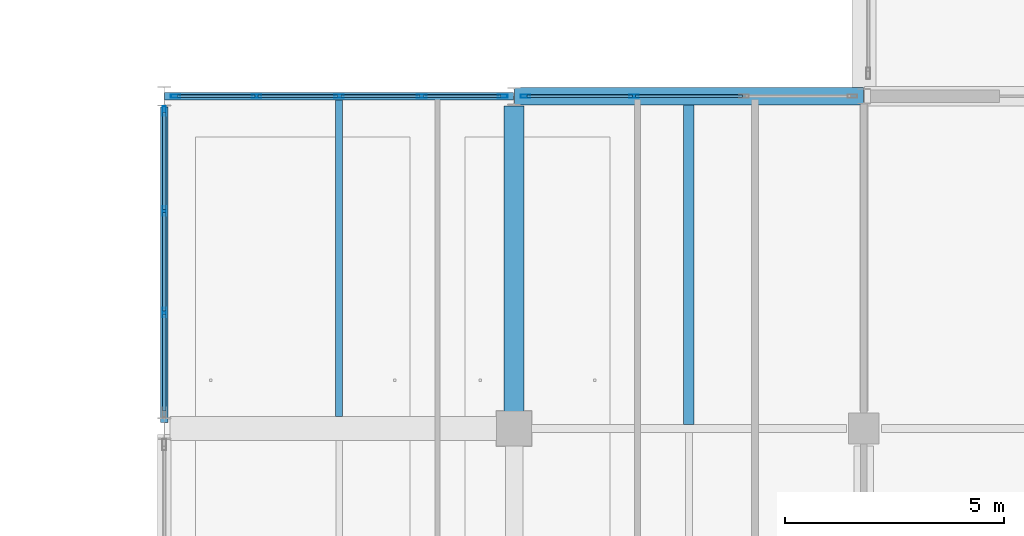
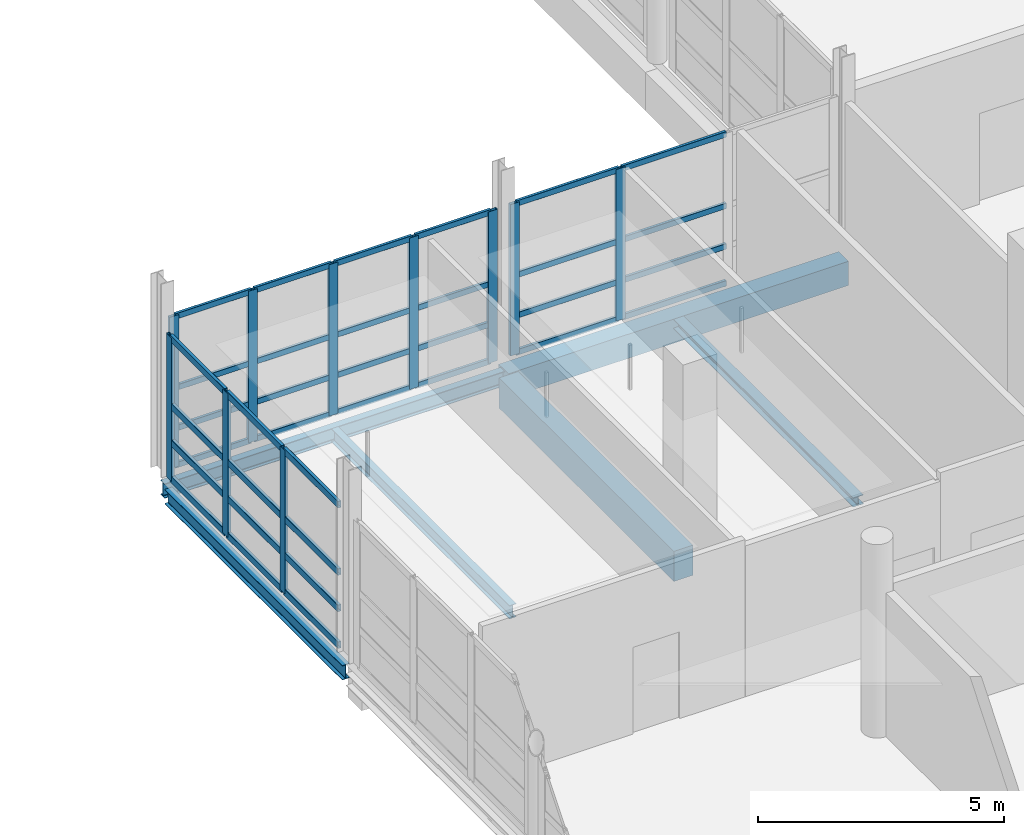
# One storey, part 55 of 141: 46 members, 6 beams, 3 elements without a shape of their own.
"""IFC4 building model written with IfcOpenShell, lengths in metres."""

import ifcopenshell
import ifcopenshell.guid

model = None  # the IFC model being written
_history = None  # IfcOwnerHistory: only IFC2X3 demands one
_inside = {}  # id of a spatial element -> (the spatial element, [elements in it])
_under = {}  # id of a project, library or spatial element -> (it, [spatial elements below it])
_declared = {}  # id of a project -> (the project, [libraries it declares])
_typed = {}  # id of a type object -> (the type object, [elements of that type])
_made_of = {}  # id of a material, layer set ... -> (it, [elements and type objects made of it])


def new_model(schema):
    """Start an empty IFC model of exactly this schema.

    Asked for "IFC4X3", IfcOpenShell would pick the latest addendum, in which some entities
    have other attributes; the version numbers below select the first issue.
    IFC2X3 requires an IfcOwnerHistory on every rooted entity: one is made here for all.
    """
    global model, _history
    if schema == "IFC4X3":
        model = ifcopenshell.file(schema_version=(4, 3, 0, 0))
    else:
        model = ifcopenshell.file(schema=schema)
    _inside.clear()
    _under.clear()
    _declared.clear()
    _typed.clear()
    _made_of.clear()
    _history = None
    if model.schema == "IFC2X3":
        org = make("IfcOrganization", Name="unknown")
        user = make(
            "IfcPersonAndOrganization",
            ThePerson=make("IfcPerson", FamilyName="unknown"),
            TheOrganization=org,
        )
        app = make(
            "IfcApplication",
            ApplicationDeveloper=org,
            Version="unknown",
            ApplicationFullName="unknown",
            ApplicationIdentifier="unknown",
        )
        _history = make(
            "IfcOwnerHistory",
            OwningUser=user,
            OwningApplication=app,
            ChangeAction="ADDED",
            CreationDate=0,
        )
    return model


def make(cls, **values):
    """One entity of the class cls with the attributes given. An attribute that is None is left unset."""
    return model.create_entity(
        cls, **{name: value for name, value in values.items() if value is not None}
    )


def rooted(cls, **values):
    """An entity with a GlobalId (a new one), such as an element, a storey or a relation."""
    return make(cls, GlobalId=ifcopenshell.guid.new(), OwnerHistory=_history, **values)


def si_unit(unit_type, name, prefix=None):
    """IfcSIUnit, for example si_unit("LENGTHUNIT", "METRE", prefix="MILLI")."""
    return make("IfcSIUnit", UnitType=unit_type, Prefix=prefix, Name=name)


def assignment(units):
    """IfcUnitAssignment: the units of a project."""
    return None if units is None else make("IfcUnitAssignment", Units=units)


def point(xyz):
    """IfcCartesianPoint."""
    return None if xyz is None else make("IfcCartesianPoint", Coordinates=xyz)


def direction(xyz):
    """IfcDirection."""
    return None if xyz is None else make("IfcDirection", DirectionRatios=xyz)


def frame(location, z_axis=None, x_axis=None):
    """IfcAxis2Placement3D, a coordinate frame: its origin and axes. An axis left out is left unset."""
    return make(
        "IfcAxis2Placement3D",
        Location=point(location),
        Axis=direction(z_axis),
        RefDirection=direction(x_axis),
    )


def frame_2d(location, x_axis=None):
    """IfcAxis2Placement2D, a coordinate frame in the plane: its origin and x axis."""
    return make(
        "IfcAxis2Placement2D", Location=point(location), RefDirection=direction(x_axis)
    )


def origin():
    """The frame at (0, 0, 0) with its axes left unset."""
    return frame((0.0, 0.0, 0.0))


def origin_2d():
    """The frame at (0, 0) in the plane with its x axis left unset."""
    return frame_2d((0.0, 0.0))


def place(relative_to, where):
    """IfcLocalPlacement: puts the frame where relative to a parent placement (None: the world)."""
    return make(
        "IfcLocalPlacement", PlacementRelTo=relative_to, RelativePlacement=where
    )


def context(
    kind, dimensions, precision=None, world=None, true_north=None, identifier=None
):
    """IfcGeometricRepresentationContext, for example the 3D "Model" context."""
    return make(
        "IfcGeometricRepresentationContext",
        ContextIdentifier=identifier,
        ContextType=kind,
        CoordinateSpaceDimension=dimensions,
        Precision=precision,
        WorldCoordinateSystem=world,
        TrueNorth=true_north,
    )


def subcontext(parent, identifier, kind, view, scale=None):
    """IfcGeometricRepresentationSubContext, for example "Body" below "Model"."""
    return make(
        "IfcGeometricRepresentationSubContext",
        ContextIdentifier=identifier,
        ContextType=kind,
        ParentContext=parent,
        TargetScale=scale,
        TargetView=view,
    )


def project(units=None, contexts=None):
    """IfcProject with its units and contexts."""
    return rooted(
        "IfcProject",
        Name="project",
        RepresentationContexts=contexts,
        UnitsInContext=assignment(units),
    )


def spatial(cls, under=None, at=None, **own):
    """A site, building, storey or space (cls), placed at a placement, below another one or the project."""
    s = rooted(cls, ObjectPlacement=at, **own)
    if under is not None:
        _under.setdefault(under.id(), (under, []))[1].append(s)
    return s


def profile(cls, at=None, kind="AREA", **sizes):
    """A parametric profile (cls). Its sizes go by their IFC names, for example OverallWidth=200.0."""
    return make(cls, ProfileType=kind, Position=at, **sizes)


def rectangle(**sizes):
    """IfcRectangleProfileDef."""
    return profile("IfcRectangleProfileDef", **sizes)


def hollow_rectangle(**sizes):
    """IfcRectangleHollowProfileDef."""
    return profile("IfcRectangleHollowProfileDef", **sizes)


def i_section(**sizes):
    """IfcIShapeProfileDef."""
    return profile("IfcIShapeProfileDef", **sizes)


def extrude(swept, where, along, depth):
    """IfcExtrudedAreaSolid: the profile swept, set in the frame where, extruded along a direction by depth."""
    return make(
        "IfcExtrudedAreaSolid",
        SweptArea=swept,
        Position=where,
        ExtrudedDirection=direction(along),
        Depth=depth,
    )


def shape(context_of_items, identifier, shape_type, items):
    """IfcShapeRepresentation: the items that make up one representation, for example the "Body"."""
    return make(
        "IfcShapeRepresentation",
        ContextOfItems=context_of_items,
        RepresentationIdentifier=identifier,
        RepresentationType=shape_type,
        Items=items,
    )


def material(Name=None, Category=None):
    """IfcMaterial."""
    return make("IfcMaterial", Name=Name, Category=Category)


def material_profile(
    of_material, cross_section, Name=None, Category=None, Priority=None
):
    """IfcMaterialProfile: a cross section and its material."""
    return make(
        "IfcMaterialProfile",
        Name=Name,
        Material=of_material,
        Profile=cross_section,
        Priority=Priority,
        Category=Category,
    )


def profile_set(profiles, Name=None, composite=None):
    """IfcMaterialProfileSet."""
    return make(
        "IfcMaterialProfileSet",
        Name=Name,
        MaterialProfiles=profiles,
        CompositeProfile=composite,
    )


def made_of(thing, what):
    """Note that an element or type object is made of a material, layer set ...; save() writes the relation."""
    if what is not None:
        _made_of.setdefault(what.id(), (what, []))[1].append(thing)
    return thing


def type_object(cls, material=None, **own):
    """A type object (cls), such as IfcWallType, which elements share."""
    return made_of(rooted(cls, **own), material)


def element(
    cls,
    number,
    at=None,
    inside=None,
    cuts=None,
    type_object=None,
    material=None,
    context=None,
    identifier="Body",
    shape_type=None,
    held_by="IfcProductDefinitionShape",
    body=None,
    shapes=None,
    **own,
):
    """One element of the class cls, such as IfcWall. Its Tag is "e" and its number.

    at: its placement. inside: the storey or other place that contains it. cuts: it is an
    opening in that element (IfcRelVoidsElement). A single representation is given by context,
    identifier, shape_type and body (its items); several are given by shapes. held_by: the class
    of the entity that holds the representations. save() writes the other relations.
    """
    e = rooted(cls, Tag="e%d" % number, ObjectPlacement=at, **own)
    if body is not None:
        shapes = [shape(context, identifier, shape_type, body)]
    if shapes is not None:
        e.Representation = make(held_by, Representations=shapes)
    if inside is not None:
        _inside.setdefault(inside.id(), (inside, []))[1].append(e)
    if cuts is not None:
        rooted(
            "IfcRelVoidsElement", RelatingBuildingElement=cuts, RelatedOpeningElement=e
        )
    if type_object is not None:
        _typed.setdefault(type_object.id(), (type_object, []))[1].append(e)
    return made_of(e, material)


def aggregate(whole, parts):
    """IfcRelAggregates: a whole, such as a stair, and the parts it consists of."""
    return rooted("IfcRelAggregates", RelatingObject=whole, RelatedObjects=parts)


def save(model, path):
    """Write the relations noted so far, then the file.

    IfcRelAggregates (storeys below a building ...), IfcRelContainedInSpatialStructure (elements
    in a storey), IfcRelDefinesByType, IfcRelAssociatesMaterial and IfcRelDeclares: one each for
    every whole, place, type object, material and project.
    """
    for whole, parts in _under.values():
        aggregate(whole, parts)
    for where, things in _inside.values():
        rooted(
            "IfcRelContainedInSpatialStructure",
            RelatedElements=things,
            RelatingStructure=where,
        )
    for kind, things in _typed.values():
        rooted("IfcRelDefinesByType", RelatedObjects=things, RelatingType=kind)
    for what, things in _made_of.values():
        rooted("IfcRelAssociatesMaterial", RelatedObjects=things, RelatingMaterial=what)
    for by, libraries in _declared.values():
        rooted("IfcRelDeclares", RelatingContext=by, RelatedDefinitions=libraries)
    model.write(path)


model = new_model("IFC4")

# Units and contexts
model_context = context("Model", 3, precision=1e-05, world=origin(), true_north=direction((0.0, 1.0)))
body_context = subcontext(model_context, "Body", "Model", "MODEL_VIEW")
ifc_project = project(units=[si_unit("LENGTHUNIT", "METRE"), si_unit("AREAUNIT", "SQUARE_METRE"), si_unit("VOLUMEUNIT", "CUBIC_METRE"), si_unit("PLANEANGLEUNIT", "RADIAN"), si_unit("MASSUNIT", "GRAM", prefix="KILO")], contexts=[model_context])

# Site, building, storey
site_placement = place(None, origin())
site = spatial("IfcSite", under=ifc_project, at=site_placement, CompositionType="ELEMENT")
building_placement = place(site_placement, origin())
building = spatial("IfcBuilding", under=site, at=building_placement, Name="Khelvaren Railside Concert Hall", CompositionType="ELEMENT")
storey_placement = place(building_placement, frame((0.0, 0.0, 10.199951171875)))
storey = spatial("IfcBuildingStorey", under=building, at=storey_placement, Name="L02", CompositionType="ELEMENT", Elevation=10.199951171875)

# Beam
ifc_material_1 = material(Name="Concrete C40/50", Category="concrete")
ifc_material_profile_1 = material_profile(ifc_material_1, rectangle(XDim=0.449951171875, YDim=0.75, at=origin_2d()), Name="RCB 450x750")
ifc_profile_set_1 = profile_set([ifc_material_profile_1], Name="Concrete C40/50")
beam_type_1 = type_object("IfcBeamType", Name="BM83", PredefinedType="BEAM", material=ifc_profile_set_1)
beam_1_placement = place(storey_placement, frame((152.0, 30.673095703125, -0.6650390625), z_axis=(0.0, 1.0, 0.0), x_axis=(-1.0, 0.0, 0.0)))
element("IfcBeam", 1, at=beam_1_placement, inside=storey, type_object=beam_type_1, Name="V2 L02 Beam Y2.5", PredefinedType="BEAM", context=body_context, shape_type="SweptSolid", body=[
    extrude(rectangle(XDim=0.449951171875, YDim=0.75, at=origin_2d()), origin(), (0.0, 0.0, 1.0), 7.101806640625),
])

# Curtain wall, members
ifc_material_2 = material(Name="Triple-glazed solar-control glass", Category="glass")
curtain_wall_type_1 = type_object("IfcCurtainWallType", Name="CW88", PredefinedType="USERDEFINED", material=ifc_material_2)
curtain_wall_1_placement = place(storey_placement, origin())
curtain_wall_1 = element("IfcCurtainWall", 2, at=curtain_wall_1_placement, inside=storey, type_object=curtain_wall_type_1, Name="Unitised Curtain Wall CW-V2-L02-W-30", ObjectType="UNITISED CURTAIN WALL", PredefinedType="USERDEFINED")
ifc_material_3 = material(Name="Anodised architectural aluminium 6063-T6", Category="aluminium")
ifc_material_profile_2 = material_profile(ifc_material_3, hollow_rectangle(XDim=0.074951171875, YDim=0.219970703125, WallThickness=0.0048828125, InnerFilletRadius=0.0029296875, OuterFilletRadius=0.0048828125, at=origin_2d()), Name="CWM 75x220x5")
ifc_profile_set_2 = profile_set([ifc_material_profile_2], Name="Anodised architectural aluminium 6063-T6")
member_type_1 = type_object("IfcMemberType", Name="CWM13", PredefinedType="MULLION", material=ifc_profile_set_2)
member_1_placement = place(storey_placement, frame((144.0, 33.049072265625, 0.0), z_axis=(0.0, 0.0, 1.0), x_axis=(-1.0, 0.0, 0.0)))
member_1 = element("IfcMember", 3, at=member_1_placement, type_object=member_type_1, Name="CW88 mullion 2", PredefinedType="MULLION", context=body_context, shape_type="SweptSolid", body=[
    extrude(hollow_rectangle(XDim=0.074951171875, YDim=0.219970703125, WallThickness=0.0048828125, InnerFilletRadius=0.0029296875, OuterFilletRadius=0.0048828125, at=origin_2d()), origin(), (0.0, 0.0, 1.0), 3.56005859375),
])
member_2_placement = place(storey_placement, frame((144.0, 35.375732421875, 0.0), z_axis=(0.0, 0.0, 1.0), x_axis=(-1.0, 0.0, 0.0)))
member_2 = element("IfcMember", 4, at=member_2_placement, type_object=member_type_1, Name="CW88 mullion 3", PredefinedType="MULLION", context=body_context, shape_type="SweptSolid", body=[
    extrude(hollow_rectangle(XDim=0.074951171875, YDim=0.219970703125, WallThickness=0.0048828125, InnerFilletRadius=0.0029296875, OuterFilletRadius=0.0048828125, at=origin_2d()), origin(), (0.0, 0.0, 1.0), 3.56005859375),
])
member_3_placement = place(storey_placement, frame((144.0, 37.6650390625, 0.0), z_axis=(0.0, 0.0, 1.0), x_axis=(-1.0, 0.0, 0.0)))
member_3 = element("IfcMember", 5, at=member_3_placement, type_object=member_type_1, Name="CW88 mullion 4", PredefinedType="MULLION", context=body_context, shape_type="SweptSolid", body=[
    extrude(hollow_rectangle(XDim=0.074951171875, YDim=0.219970703125, WallThickness=0.0048828125, InnerFilletRadius=0.0029296875, OuterFilletRadius=0.0048828125, at=origin_2d()), origin(), (0.0, 0.0, 1.0), 3.56005859375),
])

ifc_material_4 = material(Name="Double-glazed clear foyer glass", Category="glass")
curtain_wall_type_2 = type_object("IfcCurtainWallType", Name="CW64", PredefinedType="USERDEFINED", material=ifc_material_4)
curtain_wall_2_placement = place(storey_placement, origin())
curtain_wall_2 = element("IfcCurtainWall", 6, at=curtain_wall_2_placement, inside=storey, type_object=curtain_wall_type_2, Name="Unitised Curtain Wall CW-V2-L02-N-144", ObjectType="UNITISED CURTAIN WALL", PredefinedType="USERDEFINED")
member_4_placement = place(storey_placement, frame((144.260009765625, 38.0, 0.0), z_axis=(0.0, 0.0, 1.0), x_axis=(0.0, 1.0, 0.0)))
member_4 = element("IfcMember", 7, at=member_4_placement, type_object=member_type_1, Name="CW64 mullion 1", PredefinedType="MULLION", context=body_context, shape_type="SweptSolid", body=[
    extrude(hollow_rectangle(XDim=0.074951171875, YDim=0.219970703125, WallThickness=0.0048828125, InnerFilletRadius=0.0029296875, OuterFilletRadius=0.0048828125, at=origin_2d()), origin(), (0.0, 0.0, 1.0), 3.760009765625),
])
member_5_placement = place(storey_placement, frame((146.111328125, 38.0, 0.0), z_axis=(0.0, 0.0, 1.0), x_axis=(0.0, 1.0, 0.0)))
member_5 = element("IfcMember", 8, at=member_5_placement, type_object=member_type_1, Name="CW64 mullion 2", PredefinedType="MULLION", context=body_context, shape_type="SweptSolid", body=[
    extrude(hollow_rectangle(XDim=0.074951171875, YDim=0.219970703125, WallThickness=0.0048828125, InnerFilletRadius=0.0029296875, OuterFilletRadius=0.0048828125, at=origin_2d()), origin(), (0.0, 0.0, 1.0), 3.760009765625),
])
member_6_placement = place(storey_placement, frame((148.0, 38.0, 0.0), z_axis=(0.0, 0.0, 1.0), x_axis=(0.0, 1.0, 0.0)))
member_6 = element("IfcMember", 9, at=member_6_placement, type_object=member_type_1, Name="CW64 mullion 3", PredefinedType="MULLION", context=body_context, shape_type="SweptSolid", body=[
    extrude(hollow_rectangle(XDim=0.074951171875, YDim=0.219970703125, WallThickness=0.0048828125, InnerFilletRadius=0.0029296875, OuterFilletRadius=0.0048828125, at=origin_2d()), origin(), (0.0, 0.0, 1.0), 3.760009765625),
])
member_7_placement = place(storey_placement, frame((149.888671875, 38.0, 0.0), z_axis=(0.0, 0.0, 1.0), x_axis=(0.0, 1.0, 0.0)))
member_7 = element("IfcMember", 10, at=member_7_placement, type_object=member_type_1, Name="CW64 mullion 4", PredefinedType="MULLION", context=body_context, shape_type="SweptSolid", body=[
    extrude(hollow_rectangle(XDim=0.074951171875, YDim=0.219970703125, WallThickness=0.0048828125, InnerFilletRadius=0.0029296875, OuterFilletRadius=0.0048828125, at=origin_2d()), origin(), (0.0, 0.0, 1.0), 3.760009765625),
])
member_8_placement = place(storey_placement, frame((151.739990234375, 38.0, 0.0), z_axis=(0.0, 0.0, 1.0), x_axis=(0.0, 1.0, 0.0)))
member_8 = element("IfcMember", 11, at=member_8_placement, type_object=member_type_1, Name="CW64 mullion 5", PredefinedType="MULLION", context=body_context, shape_type="SweptSolid", body=[
    extrude(hollow_rectangle(XDim=0.074951171875, YDim=0.219970703125, WallThickness=0.0048828125, InnerFilletRadius=0.0029296875, OuterFilletRadius=0.0048828125, at=origin_2d()), origin(), (0.0, 0.0, 1.0), 3.760009765625),
])

curtain_wall_type_3 = type_object("IfcCurtainWallType", Name="CW68", PredefinedType="USERDEFINED", material=ifc_material_4)
curtain_wall_3_placement = place(storey_placement, origin())
curtain_wall_3 = element("IfcCurtainWall", 12, at=curtain_wall_3_placement, inside=storey, type_object=curtain_wall_type_3, Name="Unitised Curtain Wall CW-V2-L02-N-152", ObjectType="UNITISED CURTAIN WALL", PredefinedType="USERDEFINED")
member_9_placement = place(storey_placement, frame((152.260009765625, 38.0, 0.0), z_axis=(0.0, 0.0, 1.0), x_axis=(0.0, 1.0, 0.0)))
member_9 = element("IfcMember", 13, at=member_9_placement, type_object=member_type_1, Name="CW68 mullion 1", PredefinedType="MULLION", context=body_context, shape_type="SweptSolid", body=[
    extrude(hollow_rectangle(XDim=0.074951171875, YDim=0.219970703125, WallThickness=0.0048828125, InnerFilletRadius=0.0029296875, OuterFilletRadius=0.0048828125, at=origin_2d()), origin(), (0.0, 0.0, 1.0), 3.760009765625),
])
member_10_placement = place(storey_placement, frame((154.74072265625, 38.0, 0.0), z_axis=(0.0, 0.0, 1.0), x_axis=(0.0, 1.0, 0.0)))
member_10 = element("IfcMember", 14, at=member_10_placement, type_object=member_type_1, Name="CW68 mullion 2", PredefinedType="MULLION", context=body_context, shape_type="SweptSolid", body=[
    extrude(hollow_rectangle(XDim=0.074951171875, YDim=0.219970703125, WallThickness=0.0048828125, InnerFilletRadius=0.0029296875, OuterFilletRadius=0.0048828125, at=origin_2d()), origin(), (0.0, 0.0, 1.0), 3.760009765625),
])

# Member
ifc_material_profile_3 = material_profile(ifc_material_3, hollow_rectangle(XDim=0.074951171875, YDim=0.1650390625, WallThickness=0.00390625, InnerFilletRadius=0.001953125, OuterFilletRadius=0.00390625, at=origin_2d()), Name="CWT 75x165x4")
ifc_profile_set_3 = profile_set([ifc_material_profile_3], Name="Anodised architectural aluminium 6063-T6")
member_type_2 = type_object("IfcMemberType", Name="CWT46", PredefinedType="USERDEFINED", material=ifc_profile_set_3)
member_11_placement = place(storey_placement, frame((144.0, 30.797607421875, 0.03759765625), z_axis=(0.0, 1.0, 0.0), x_axis=(-1.0, 0.0, 0.0)))
member_11 = element("IfcMember", 15, at=member_11_placement, type_object=member_type_2, Name="CW88 transom 1.1", ObjectType="TRANSOM", PredefinedType="USERDEFINED", context=body_context, shape_type="SweptSolid", body=[
    extrude(hollow_rectangle(XDim=0.074951171875, YDim=0.1650390625, WallThickness=0.00390625, InnerFilletRadius=0.001953125, OuterFilletRadius=0.00390625, at=origin_2d()), origin(), (0.0, 0.0, 1.0), 2.214111328125),
])

member_12_placement = place(storey_placement, frame((144.0, 30.797607421875, 0.949951171875), z_axis=(0.0, 1.0, 0.0), x_axis=(-1.0, 0.0, 0.0)))
member_12 = element("IfcMember", 16, at=member_12_placement, type_object=member_type_2, Name="CW88 transom 1.2", ObjectType="TRANSOM", PredefinedType="USERDEFINED", context=body_context, shape_type="SweptSolid", body=[
    extrude(hollow_rectangle(XDim=0.074951171875, YDim=0.1650390625, WallThickness=0.00390625, InnerFilletRadius=0.001953125, OuterFilletRadius=0.00390625, at=origin_2d()), origin(), (0.0, 0.0, 1.0), 2.214111328125),
])

member_13_placement = place(storey_placement, frame((144.0, 30.797607421875, 1.851318359375), z_axis=(0.0, 1.0, 0.0), x_axis=(-1.0, 0.0, 0.0)))
member_13 = element("IfcMember", 17, at=member_13_placement, type_object=member_type_2, Name="CW88 transom 1.3", ObjectType="TRANSOM", PredefinedType="USERDEFINED", context=body_context, shape_type="SweptSolid", body=[
    extrude(hollow_rectangle(XDim=0.074951171875, YDim=0.1650390625, WallThickness=0.00390625, InnerFilletRadius=0.001953125, OuterFilletRadius=0.00390625, at=origin_2d()), origin(), (0.0, 0.0, 1.0), 2.214111328125),
])

member_14_placement = place(storey_placement, frame((144.0, 30.797607421875, 3.5224609375), z_axis=(0.0, 1.0, 0.0), x_axis=(-1.0, 0.0, 0.0)))
member_14 = element("IfcMember", 18, at=member_14_placement, type_object=member_type_2, Name="CW88 transom 1.4", ObjectType="TRANSOM", PredefinedType="USERDEFINED", context=body_context, shape_type="SweptSolid", body=[
    extrude(hollow_rectangle(XDim=0.074951171875, YDim=0.1650390625, WallThickness=0.00390625, InnerFilletRadius=0.001953125, OuterFilletRadius=0.00390625, at=origin_2d()), origin(), (0.0, 0.0, 1.0), 2.214111328125),
])

member_15_placement = place(storey_placement, frame((144.0, 33.086669921875, 0.03759765625), z_axis=(0.0, 1.0, 0.0), x_axis=(-1.0, 0.0, 0.0)))
member_15 = element("IfcMember", 19, at=member_15_placement, type_object=member_type_2, Name="CW88 transom 2.1", ObjectType="TRANSOM", PredefinedType="USERDEFINED", context=body_context, shape_type="SweptSolid", body=[
    extrude(hollow_rectangle(XDim=0.074951171875, YDim=0.1650390625, WallThickness=0.00390625, InnerFilletRadius=0.001953125, OuterFilletRadius=0.00390625, at=origin_2d()), origin(), (0.0, 0.0, 1.0), 2.251708984375),
])

member_16_placement = place(storey_placement, frame((144.0, 33.086669921875, 0.949951171875), z_axis=(0.0, 1.0, 0.0), x_axis=(-1.0, 0.0, 0.0)))
member_16 = element("IfcMember", 20, at=member_16_placement, type_object=member_type_2, Name="CW88 transom 2.2", ObjectType="TRANSOM", PredefinedType="USERDEFINED", context=body_context, shape_type="SweptSolid", body=[
    extrude(hollow_rectangle(XDim=0.074951171875, YDim=0.1650390625, WallThickness=0.00390625, InnerFilletRadius=0.001953125, OuterFilletRadius=0.00390625, at=origin_2d()), origin(), (0.0, 0.0, 1.0), 2.251708984375),
])

member_17_placement = place(storey_placement, frame((144.0, 33.086669921875, 1.851318359375), z_axis=(0.0, 1.0, 0.0), x_axis=(-1.0, 0.0, 0.0)))
member_17 = element("IfcMember", 21, at=member_17_placement, type_object=member_type_2, Name="CW88 transom 2.3", ObjectType="TRANSOM", PredefinedType="USERDEFINED", context=body_context, shape_type="SweptSolid", body=[
    extrude(hollow_rectangle(XDim=0.074951171875, YDim=0.1650390625, WallThickness=0.00390625, InnerFilletRadius=0.001953125, OuterFilletRadius=0.00390625, at=origin_2d()), origin(), (0.0, 0.0, 1.0), 2.251708984375),
])

member_18_placement = place(storey_placement, frame((144.0, 33.086669921875, 3.5224609375), z_axis=(0.0, 1.0, 0.0), x_axis=(-1.0, 0.0, 0.0)))
member_18 = element("IfcMember", 22, at=member_18_placement, type_object=member_type_2, Name="CW88 transom 2.4", ObjectType="TRANSOM", PredefinedType="USERDEFINED", context=body_context, shape_type="SweptSolid", body=[
    extrude(hollow_rectangle(XDim=0.074951171875, YDim=0.1650390625, WallThickness=0.00390625, InnerFilletRadius=0.001953125, OuterFilletRadius=0.00390625, at=origin_2d()), origin(), (0.0, 0.0, 1.0), 2.251708984375),
])

member_19_placement = place(storey_placement, frame((144.0, 35.413330078125, 0.03759765625), z_axis=(0.0, 1.0, 0.0), x_axis=(-1.0, 0.0, 0.0)))
member_19 = element("IfcMember", 23, at=member_19_placement, type_object=member_type_2, Name="CW88 transom 3.1", ObjectType="TRANSOM", PredefinedType="USERDEFINED", context=body_context, shape_type="SweptSolid", body=[
    extrude(hollow_rectangle(XDim=0.074951171875, YDim=0.1650390625, WallThickness=0.00390625, InnerFilletRadius=0.001953125, OuterFilletRadius=0.00390625, at=origin_2d()), origin(), (0.0, 0.0, 1.0), 2.214111328125),
])

member_20_placement = place(storey_placement, frame((144.0, 35.413330078125, 0.949951171875), z_axis=(0.0, 1.0, 0.0), x_axis=(-1.0, 0.0, 0.0)))
member_20 = element("IfcMember", 24, at=member_20_placement, type_object=member_type_2, Name="CW88 transom 3.2", ObjectType="TRANSOM", PredefinedType="USERDEFINED", context=body_context, shape_type="SweptSolid", body=[
    extrude(hollow_rectangle(XDim=0.074951171875, YDim=0.1650390625, WallThickness=0.00390625, InnerFilletRadius=0.001953125, OuterFilletRadius=0.00390625, at=origin_2d()), origin(), (0.0, 0.0, 1.0), 2.214111328125),
])

member_21_placement = place(storey_placement, frame((144.0, 35.413330078125, 1.851318359375), z_axis=(0.0, 1.0, 0.0), x_axis=(-1.0, 0.0, 0.0)))
member_21 = element("IfcMember", 25, at=member_21_placement, type_object=member_type_2, Name="CW88 transom 3.3", ObjectType="TRANSOM", PredefinedType="USERDEFINED", context=body_context, shape_type="SweptSolid", body=[
    extrude(hollow_rectangle(XDim=0.074951171875, YDim=0.1650390625, WallThickness=0.00390625, InnerFilletRadius=0.001953125, OuterFilletRadius=0.00390625, at=origin_2d()), origin(), (0.0, 0.0, 1.0), 2.214111328125),
])

member_22_placement = place(storey_placement, frame((144.0, 35.413330078125, 3.5224609375), z_axis=(0.0, 1.0, 0.0), x_axis=(-1.0, 0.0, 0.0)))
member_22 = element("IfcMember", 26, at=member_22_placement, type_object=member_type_2, Name="CW88 transom 3.4", ObjectType="TRANSOM", PredefinedType="USERDEFINED", context=body_context, shape_type="SweptSolid", body=[
    extrude(hollow_rectangle(XDim=0.074951171875, YDim=0.1650390625, WallThickness=0.00390625, InnerFilletRadius=0.001953125, OuterFilletRadius=0.00390625, at=origin_2d()), origin(), (0.0, 0.0, 1.0), 2.214111328125),
])

aggregate(curtain_wall_1, [member_1, member_2, member_3, member_11, member_12, member_13, member_14, member_15, member_16, member_17, member_18, member_19, member_20, member_21, member_22])

ifc_material_profile_4 = material_profile(ifc_material_3, hollow_rectangle(XDim=0.06494140625, YDim=0.139892578125, WallThickness=0.00390625, InnerFilletRadius=0.001953125, OuterFilletRadius=0.00390625, at=origin_2d()), Name="CWT 65x140x4")
ifc_profile_set_4 = profile_set([ifc_material_profile_4], Name="Anodised architectural aluminium 6063-T6")
member_type_3 = type_object("IfcMemberType", Name="CWT72", PredefinedType="USERDEFINED", material=ifc_profile_set_4)
member_23_placement = place(storey_placement, frame((144.297607421875, 38.0, 0.032470703125), z_axis=(1.0, 0.0, 0.0), x_axis=(0.0, 1.0, 0.0)))
member_23 = element("IfcMember", 27, at=member_23_placement, type_object=member_type_3, Name="CW64 transom 1.1", ObjectType="TRANSOM", PredefinedType="USERDEFINED", context=body_context, shape_type="SweptSolid", body=[
    extrude(hollow_rectangle(XDim=0.06494140625, YDim=0.139892578125, WallThickness=0.00390625, InnerFilletRadius=0.001953125, OuterFilletRadius=0.00390625, at=origin_2d()), origin(), (0.0, 0.0, 1.0), 1.776123046875),
])

member_24_placement = place(storey_placement, frame((144.297607421875, 38.0, 0.949951171875), z_axis=(1.0, 0.0, 0.0), x_axis=(0.0, 1.0, 0.0)))
member_24 = element("IfcMember", 28, at=member_24_placement, type_object=member_type_3, Name="CW64 transom 1.2", ObjectType="TRANSOM", PredefinedType="USERDEFINED", context=body_context, shape_type="SweptSolid", body=[
    extrude(hollow_rectangle(XDim=0.06494140625, YDim=0.139892578125, WallThickness=0.00390625, InnerFilletRadius=0.001953125, OuterFilletRadius=0.00390625, at=origin_2d()), origin(), (0.0, 0.0, 1.0), 1.776123046875),
])

member_25_placement = place(storey_placement, frame((144.297607421875, 38.0, 1.955322265625), z_axis=(1.0, 0.0, 0.0), x_axis=(0.0, 1.0, 0.0)))
member_25 = element("IfcMember", 29, at=member_25_placement, type_object=member_type_3, Name="CW64 transom 1.3", ObjectType="TRANSOM", PredefinedType="USERDEFINED", context=body_context, shape_type="SweptSolid", body=[
    extrude(hollow_rectangle(XDim=0.06494140625, YDim=0.139892578125, WallThickness=0.00390625, InnerFilletRadius=0.001953125, OuterFilletRadius=0.00390625, at=origin_2d()), origin(), (0.0, 0.0, 1.0), 1.776123046875),
])

member_26_placement = place(storey_placement, frame((144.297607421875, 38.0, 3.7275390625), z_axis=(1.0, 0.0, 0.0), x_axis=(0.0, 1.0, 0.0)))
member_26 = element("IfcMember", 30, at=member_26_placement, type_object=member_type_3, Name="CW64 transom 1.4", ObjectType="TRANSOM", PredefinedType="USERDEFINED", context=body_context, shape_type="SweptSolid", body=[
    extrude(hollow_rectangle(XDim=0.06494140625, YDim=0.139892578125, WallThickness=0.00390625, InnerFilletRadius=0.001953125, OuterFilletRadius=0.00390625, at=origin_2d()), origin(), (0.0, 0.0, 1.0), 1.776123046875),
])

member_27_placement = place(storey_placement, frame((146.148681640625, 38.0, 0.032470703125), z_axis=(1.0, 0.0, 0.0), x_axis=(0.0, 1.0, 0.0)))
member_27 = element("IfcMember", 31, at=member_27_placement, type_object=member_type_3, Name="CW64 transom 2.1", ObjectType="TRANSOM", PredefinedType="USERDEFINED", context=body_context, shape_type="SweptSolid", body=[
    extrude(hollow_rectangle(XDim=0.06494140625, YDim=0.139892578125, WallThickness=0.00390625, InnerFilletRadius=0.001953125, OuterFilletRadius=0.00390625, at=origin_2d()), origin(), (0.0, 0.0, 1.0), 1.813720703125),
])

member_28_placement = place(storey_placement, frame((146.148681640625, 38.0, 0.949951171875), z_axis=(1.0, 0.0, 0.0), x_axis=(0.0, 1.0, 0.0)))
member_28 = element("IfcMember", 32, at=member_28_placement, type_object=member_type_3, Name="CW64 transom 2.2", ObjectType="TRANSOM", PredefinedType="USERDEFINED", context=body_context, shape_type="SweptSolid", body=[
    extrude(hollow_rectangle(XDim=0.06494140625, YDim=0.139892578125, WallThickness=0.00390625, InnerFilletRadius=0.001953125, OuterFilletRadius=0.00390625, at=origin_2d()), origin(), (0.0, 0.0, 1.0), 1.813720703125),
])

member_29_placement = place(storey_placement, frame((146.148681640625, 38.0, 1.955322265625), z_axis=(1.0, 0.0, 0.0), x_axis=(0.0, 1.0, 0.0)))
member_29 = element("IfcMember", 33, at=member_29_placement, type_object=member_type_3, Name="CW64 transom 2.3", ObjectType="TRANSOM", PredefinedType="USERDEFINED", context=body_context, shape_type="SweptSolid", body=[
    extrude(hollow_rectangle(XDim=0.06494140625, YDim=0.139892578125, WallThickness=0.00390625, InnerFilletRadius=0.001953125, OuterFilletRadius=0.00390625, at=origin_2d()), origin(), (0.0, 0.0, 1.0), 1.813720703125),
])

member_30_placement = place(storey_placement, frame((146.148681640625, 38.0, 3.7275390625), z_axis=(1.0, 0.0, 0.0), x_axis=(0.0, 1.0, 0.0)))
member_30 = element("IfcMember", 34, at=member_30_placement, type_object=member_type_3, Name="CW64 transom 2.4", ObjectType="TRANSOM", PredefinedType="USERDEFINED", context=body_context, shape_type="SweptSolid", body=[
    extrude(hollow_rectangle(XDim=0.06494140625, YDim=0.139892578125, WallThickness=0.00390625, InnerFilletRadius=0.001953125, OuterFilletRadius=0.00390625, at=origin_2d()), origin(), (0.0, 0.0, 1.0), 1.813720703125),
])

member_31_placement = place(storey_placement, frame((148.03759765625, 38.0, 0.032470703125), z_axis=(1.0, 0.0, 0.0), x_axis=(0.0, 1.0, 0.0)))
member_31 = element("IfcMember", 35, at=member_31_placement, type_object=member_type_3, Name="CW64 transom 3.1", ObjectType="TRANSOM", PredefinedType="USERDEFINED", context=body_context, shape_type="SweptSolid", body=[
    extrude(hollow_rectangle(XDim=0.06494140625, YDim=0.139892578125, WallThickness=0.00390625, InnerFilletRadius=0.001953125, OuterFilletRadius=0.00390625, at=origin_2d()), origin(), (0.0, 0.0, 1.0), 1.813720703125),
])

member_32_placement = place(storey_placement, frame((148.03759765625, 38.0, 0.949951171875), z_axis=(1.0, 0.0, 0.0), x_axis=(0.0, 1.0, 0.0)))
member_32 = element("IfcMember", 36, at=member_32_placement, type_object=member_type_3, Name="CW64 transom 3.2", ObjectType="TRANSOM", PredefinedType="USERDEFINED", context=body_context, shape_type="SweptSolid", body=[
    extrude(hollow_rectangle(XDim=0.06494140625, YDim=0.139892578125, WallThickness=0.00390625, InnerFilletRadius=0.001953125, OuterFilletRadius=0.00390625, at=origin_2d()), origin(), (0.0, 0.0, 1.0), 1.813720703125),
])

member_33_placement = place(storey_placement, frame((148.03759765625, 38.0, 1.955322265625), z_axis=(1.0, 0.0, 0.0), x_axis=(0.0, 1.0, 0.0)))
member_33 = element("IfcMember", 37, at=member_33_placement, type_object=member_type_3, Name="CW64 transom 3.3", ObjectType="TRANSOM", PredefinedType="USERDEFINED", context=body_context, shape_type="SweptSolid", body=[
    extrude(hollow_rectangle(XDim=0.06494140625, YDim=0.139892578125, WallThickness=0.00390625, InnerFilletRadius=0.001953125, OuterFilletRadius=0.00390625, at=origin_2d()), origin(), (0.0, 0.0, 1.0), 1.813720703125),
])

member_34_placement = place(storey_placement, frame((148.03759765625, 38.0, 3.7275390625), z_axis=(1.0, 0.0, 0.0), x_axis=(0.0, 1.0, 0.0)))
member_34 = element("IfcMember", 38, at=member_34_placement, type_object=member_type_3, Name="CW64 transom 3.4", ObjectType="TRANSOM", PredefinedType="USERDEFINED", context=body_context, shape_type="SweptSolid", body=[
    extrude(hollow_rectangle(XDim=0.06494140625, YDim=0.139892578125, WallThickness=0.00390625, InnerFilletRadius=0.001953125, OuterFilletRadius=0.00390625, at=origin_2d()), origin(), (0.0, 0.0, 1.0), 1.813720703125),
])

member_35_placement = place(storey_placement, frame((149.92626953125, 38.0, 0.032470703125), z_axis=(1.0, 0.0, 0.0), x_axis=(0.0, 1.0, 0.0)))
member_35 = element("IfcMember", 39, at=member_35_placement, type_object=member_type_3, Name="CW64 transom 4.1", ObjectType="TRANSOM", PredefinedType="USERDEFINED", context=body_context, shape_type="SweptSolid", body=[
    extrude(hollow_rectangle(XDim=0.06494140625, YDim=0.139892578125, WallThickness=0.00390625, InnerFilletRadius=0.001953125, OuterFilletRadius=0.00390625, at=origin_2d()), origin(), (0.0, 0.0, 1.0), 1.776123046875),
])

member_36_placement = place(storey_placement, frame((149.92626953125, 38.0, 0.949951171875), z_axis=(1.0, 0.0, 0.0), x_axis=(0.0, 1.0, 0.0)))
member_36 = element("IfcMember", 40, at=member_36_placement, type_object=member_type_3, Name="CW64 transom 4.2", ObjectType="TRANSOM", PredefinedType="USERDEFINED", context=body_context, shape_type="SweptSolid", body=[
    extrude(hollow_rectangle(XDim=0.06494140625, YDim=0.139892578125, WallThickness=0.00390625, InnerFilletRadius=0.001953125, OuterFilletRadius=0.00390625, at=origin_2d()), origin(), (0.0, 0.0, 1.0), 1.776123046875),
])

member_37_placement = place(storey_placement, frame((149.92626953125, 38.0, 1.955322265625), z_axis=(1.0, 0.0, 0.0), x_axis=(0.0, 1.0, 0.0)))
member_37 = element("IfcMember", 41, at=member_37_placement, type_object=member_type_3, Name="CW64 transom 4.3", ObjectType="TRANSOM", PredefinedType="USERDEFINED", context=body_context, shape_type="SweptSolid", body=[
    extrude(hollow_rectangle(XDim=0.06494140625, YDim=0.139892578125, WallThickness=0.00390625, InnerFilletRadius=0.001953125, OuterFilletRadius=0.00390625, at=origin_2d()), origin(), (0.0, 0.0, 1.0), 1.776123046875),
])

member_38_placement = place(storey_placement, frame((149.92626953125, 38.0, 3.7275390625), z_axis=(1.0, 0.0, 0.0), x_axis=(0.0, 1.0, 0.0)))
member_38 = element("IfcMember", 42, at=member_38_placement, type_object=member_type_3, Name="CW64 transom 4.4", ObjectType="TRANSOM", PredefinedType="USERDEFINED", context=body_context, shape_type="SweptSolid", body=[
    extrude(hollow_rectangle(XDim=0.06494140625, YDim=0.139892578125, WallThickness=0.00390625, InnerFilletRadius=0.001953125, OuterFilletRadius=0.00390625, at=origin_2d()), origin(), (0.0, 0.0, 1.0), 1.776123046875),
])

aggregate(curtain_wall_2, [member_4, member_5, member_6, member_7, member_8, member_23, member_24, member_25, member_26, member_27, member_28, member_29, member_30, member_31, member_32, member_33, member_34, member_35, member_36, member_37, member_38])

member_39_placement = place(storey_placement, frame((152.297607421875, 38.0, 0.032470703125), z_axis=(1.0, 0.0, 0.0), x_axis=(0.0, 1.0, 0.0)))
member_39 = element("IfcMember", 43, at=member_39_placement, type_object=member_type_3, Name="CW68 transom 1.1", ObjectType="TRANSOM", PredefinedType="USERDEFINED", context=body_context, shape_type="SweptSolid", body=[
    extrude(hollow_rectangle(XDim=0.06494140625, YDim=0.139892578125, WallThickness=0.00390625, InnerFilletRadius=0.001953125, OuterFilletRadius=0.00390625, at=origin_2d()), origin(), (0.0, 0.0, 1.0), 2.40576171875),
])

member_40_placement = place(storey_placement, frame((152.297607421875, 38.0, 0.949951171875), z_axis=(1.0, 0.0, 0.0), x_axis=(0.0, 1.0, 0.0)))
member_40 = element("IfcMember", 44, at=member_40_placement, type_object=member_type_3, Name="CW68 transom 1.2", ObjectType="TRANSOM", PredefinedType="USERDEFINED", context=body_context, shape_type="SweptSolid", body=[
    extrude(hollow_rectangle(XDim=0.06494140625, YDim=0.139892578125, WallThickness=0.00390625, InnerFilletRadius=0.001953125, OuterFilletRadius=0.00390625, at=origin_2d()), origin(), (0.0, 0.0, 1.0), 2.40576171875),
])

member_41_placement = place(storey_placement, frame((152.297607421875, 38.0, 1.955322265625), z_axis=(1.0, 0.0, 0.0), x_axis=(0.0, 1.0, 0.0)))
member_41 = element("IfcMember", 45, at=member_41_placement, type_object=member_type_3, Name="CW68 transom 1.3", ObjectType="TRANSOM", PredefinedType="USERDEFINED", context=body_context, shape_type="SweptSolid", body=[
    extrude(hollow_rectangle(XDim=0.06494140625, YDim=0.139892578125, WallThickness=0.00390625, InnerFilletRadius=0.001953125, OuterFilletRadius=0.00390625, at=origin_2d()), origin(), (0.0, 0.0, 1.0), 2.40576171875),
])

member_42_placement = place(storey_placement, frame((152.297607421875, 38.0, 3.7275390625), z_axis=(1.0, 0.0, 0.0), x_axis=(0.0, 1.0, 0.0)))
member_42 = element("IfcMember", 46, at=member_42_placement, type_object=member_type_3, Name="CW68 transom 1.4", ObjectType="TRANSOM", PredefinedType="USERDEFINED", context=body_context, shape_type="SweptSolid", body=[
    extrude(hollow_rectangle(XDim=0.06494140625, YDim=0.139892578125, WallThickness=0.00390625, InnerFilletRadius=0.001953125, OuterFilletRadius=0.00390625, at=origin_2d()), origin(), (0.0, 0.0, 1.0), 2.40576171875),
])

member_43_placement = place(storey_placement, frame((154.7783203125, 38.0, 0.032470703125), z_axis=(1.0, 0.0, 0.0), x_axis=(0.0, 1.0, 0.0)))
member_43 = element("IfcMember", 47, at=member_43_placement, type_object=member_type_3, Name="CW68 transom 2.1", ObjectType="TRANSOM", PredefinedType="USERDEFINED", context=body_context, shape_type="SweptSolid", body=[
    extrude(hollow_rectangle(XDim=0.06494140625, YDim=0.139892578125, WallThickness=0.00390625, InnerFilletRadius=0.001953125, OuterFilletRadius=0.00390625, at=origin_2d()), origin(), (0.0, 0.0, 1.0), 2.443359375),
])

member_44_placement = place(storey_placement, frame((154.7783203125, 38.0, 0.949951171875), z_axis=(1.0, 0.0, 0.0), x_axis=(0.0, 1.0, 0.0)))
member_44 = element("IfcMember", 48, at=member_44_placement, type_object=member_type_3, Name="CW68 transom 2.2", ObjectType="TRANSOM", PredefinedType="USERDEFINED", context=body_context, shape_type="SweptSolid", body=[
    extrude(hollow_rectangle(XDim=0.06494140625, YDim=0.139892578125, WallThickness=0.00390625, InnerFilletRadius=0.001953125, OuterFilletRadius=0.00390625, at=origin_2d()), origin(), (0.0, 0.0, 1.0), 2.443359375),
])

member_45_placement = place(storey_placement, frame((154.7783203125, 38.0, 1.955322265625), z_axis=(1.0, 0.0, 0.0), x_axis=(0.0, 1.0, 0.0)))
member_45 = element("IfcMember", 49, at=member_45_placement, type_object=member_type_3, Name="CW68 transom 2.3", ObjectType="TRANSOM", PredefinedType="USERDEFINED", context=body_context, shape_type="SweptSolid", body=[
    extrude(hollow_rectangle(XDim=0.06494140625, YDim=0.139892578125, WallThickness=0.00390625, InnerFilletRadius=0.001953125, OuterFilletRadius=0.00390625, at=origin_2d()), origin(), (0.0, 0.0, 1.0), 2.443359375),
])

member_46_placement = place(storey_placement, frame((154.7783203125, 38.0, 3.7275390625), z_axis=(1.0, 0.0, 0.0), x_axis=(0.0, 1.0, 0.0)))
member_46 = element("IfcMember", 50, at=member_46_placement, type_object=member_type_3, Name="CW68 transom 2.4", ObjectType="TRANSOM", PredefinedType="USERDEFINED", context=body_context, shape_type="SweptSolid", body=[
    extrude(hollow_rectangle(XDim=0.06494140625, YDim=0.139892578125, WallThickness=0.00390625, InnerFilletRadius=0.001953125, OuterFilletRadius=0.00390625, at=origin_2d()), origin(), (0.0, 0.0, 1.0), 2.443359375),
])

aggregate(curtain_wall_3, [member_9, member_10, member_39, member_40, member_41, member_42, member_43, member_44, member_45, member_46])

# Beams
ifc_material_5 = material(Name="Steel S355", Category="steel")
ifc_material_profile_5 = material_profile(ifc_material_5, i_section(OverallWidth=0.159912109375, OverallDepth=0.330078125, WebThickness=0.007568359375, FlangeThickness=0.011474609375, FilletRadius=0.01806640625, at=origin_2d()), Name="IPE 330")
ifc_profile_set_5 = profile_set([ifc_material_profile_5], Name="Steel S355")
beam_type_2 = type_object("IfcBeamType", Name="JS65", PredefinedType="JOIST", material=ifc_profile_set_5)
beam_2_placement = place(storey_placement, frame((148.0, 30.675048828125, -0.454833984375), z_axis=(0.0, 1.0, 0.0), x_axis=(-1.0, 0.0, 0.0)))
element("IfcBeam", 51, at=beam_2_placement, inside=storey, type_object=beam_type_2, Name="V2 L02 Secondary Joist 1.5", PredefinedType="JOIST", context=body_context, shape_type="SweptSolid", body=[
    extrude(i_section(OverallWidth=0.159912109375, OverallDepth=0.330078125, WebThickness=0.007568359375, FlangeThickness=0.011474609375, FilletRadius=0.01806640625, at=origin_2d()), origin(), (0.0, 0.0, 1.0), 7.239990234375),
])
ifc_material_profile_6 = material_profile(ifc_material_5, i_section(OverallWidth=0.239990234375, OverallDepth=0.22998046875, WebThickness=0.007568359375, FlangeThickness=0.011962890625, FilletRadius=0.02099609375, at=origin_2d()), Name="HEA 240")
ifc_profile_set_6 = profile_set([ifc_material_profile_6], Name="Steel S355")
beam_type_3 = type_object("IfcBeamType", Name="JS76", PredefinedType="JOIST", material=ifc_profile_set_6)
beam_3_placement = place(storey_placement, frame((156.0, 30.489990234375, -0.405029296875), z_axis=(0.0, 1.0, 0.0), x_axis=(-1.0, 0.0, 0.0)))
element("IfcBeam", 52, at=beam_3_placement, inside=storey, type_object=beam_type_3, Name="V2 L02 Secondary Joist 2.5", PredefinedType="JOIST", context=body_context, shape_type="SweptSolid", body=[
    extrude(i_section(OverallWidth=0.239990234375, OverallDepth=0.22998046875, WebThickness=0.007568359375, FlangeThickness=0.011962890625, FilletRadius=0.02099609375, at=origin_2d()), origin(), (0.0, 0.0, 1.0), 7.31005859375),
])
ifc_material_profile_7 = material_profile(ifc_material_5, i_section(OverallWidth=0.169921875, OverallDepth=0.360107421875, WebThickness=0.008056640625, FlangeThickness=0.0126953125, FilletRadius=0.01806640625, at=origin_2d()), Name="IPE 360")
ifc_profile_set_7 = profile_set([ifc_material_profile_7], Name="Steel S355")
beam_type_4 = type_object("IfcBeamType", Name="SP74", PredefinedType="SPANDREL", material=ifc_profile_set_7)
beam_4_placement = place(storey_placement, frame((144.010009765625, 38.0, -0.469970703125), z_axis=(1.0, 0.0, 0.0), x_axis=(0.0, 1.0, 0.0)))
element("IfcBeam", 53, at=beam_4_placement, inside=storey, type_object=beam_type_4, Name="V2 L02 Spandrel X6.1", PredefinedType="SPANDREL", context=body_context, shape_type="SweptSolid", body=[
    extrude(i_section(OverallWidth=0.169921875, OverallDepth=0.360107421875, WebThickness=0.008056640625, FlangeThickness=0.0126953125, FilletRadius=0.01806640625, at=origin_2d()), origin(), (0.0, 0.0, 1.0), 7.97998046875),
])
beam_5_placement = place(storey_placement, frame((144.0, 30.535888671875, -0.469970703125), z_axis=(0.0, 1.0, 0.0), x_axis=(-1.0, 0.0, 0.0)))
element("IfcBeam", 54, at=beam_5_placement, inside=storey, type_object=beam_type_4, Name="V2 L02 Spandrel Y1.5", PredefinedType="SPANDREL", context=body_context, shape_type="SweptSolid", body=[
    extrude(i_section(OverallWidth=0.169921875, OverallDepth=0.360107421875, WebThickness=0.008056640625, FlangeThickness=0.0126953125, FilletRadius=0.01806640625, at=origin_2d()), origin(), (0.0, 0.0, 1.0), 7.214111328125),
])
ifc_material_profile_8 = material_profile(ifc_material_1, rectangle(XDim=0.39990234375, YDim=0.60009765625, at=origin_2d()), Name="RCB 400x600")
ifc_profile_set_8 = profile_set([ifc_material_profile_8], Name="Concrete C40/50")
beam_type_5 = type_object("IfcBeamType", Name="SP75", PredefinedType="SPANDREL", material=ifc_profile_set_8)
beam_6_placement = place(storey_placement, frame((152.010009765625, 38.0, -0.58984375), z_axis=(1.0, 0.0, 0.0), x_axis=(0.0, 1.0, 0.0)))
element("IfcBeam", 55, at=beam_6_placement, inside=storey, type_object=beam_type_5, Name="V2 L02 Spandrel X6.2", PredefinedType="SPANDREL", context=body_context, shape_type="SweptSolid", body=[
    extrude(rectangle(XDim=0.39990234375, YDim=0.60009765625, at=origin_2d()), origin(), (0.0, 0.0, 1.0), 7.97998046875),
])

save(model, "model.ifc")
